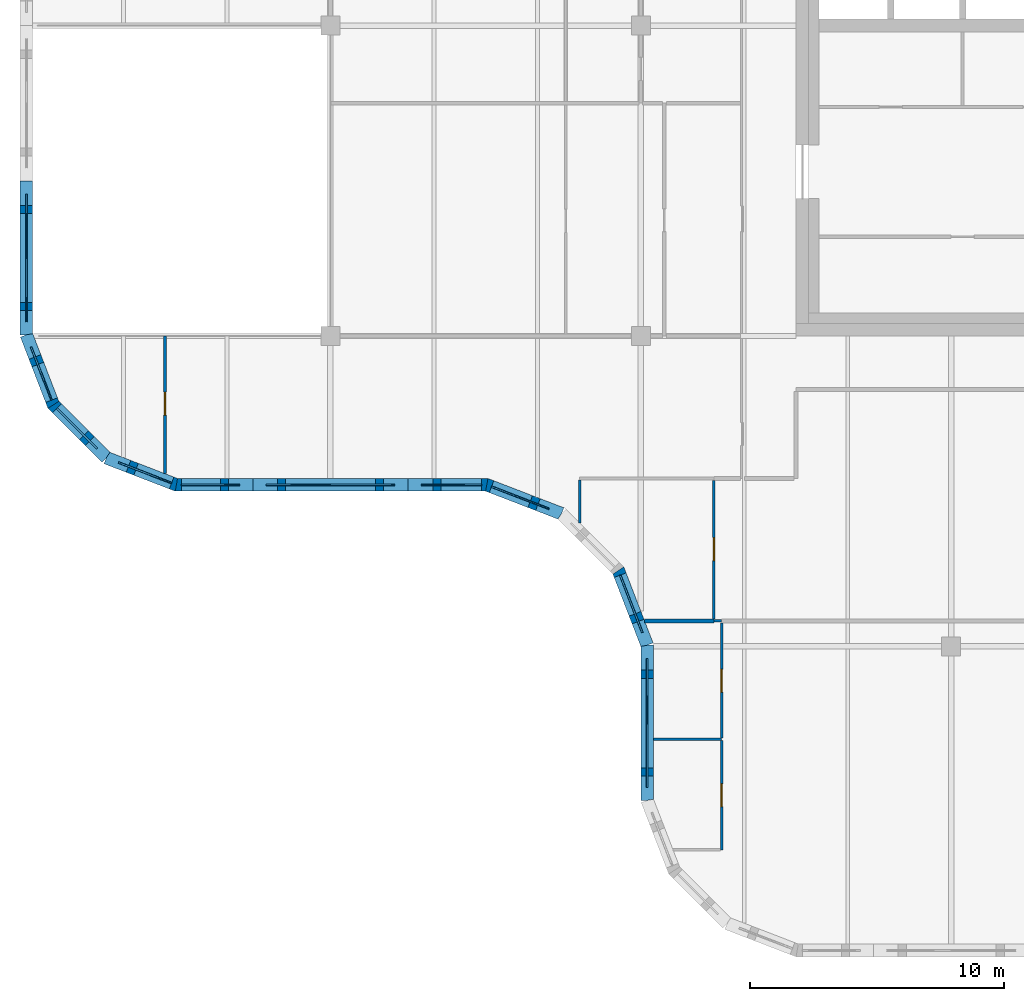
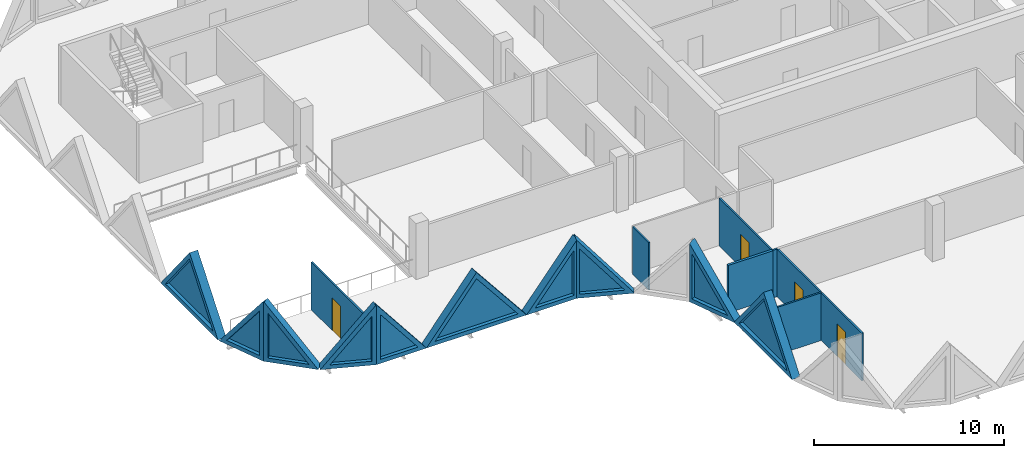
# One storey, part 3 of 11: 18 walls, 10 plates, 4 doors, 14 openings.
"""IFC4 building model written with IfcOpenShell, lengths in metres."""

from ifc_helpers import new_model, si_unit, direction, frame, frame_2d, origin, place, context, subcontext, project, spatial, polyline, rectangle, outline, extrude, faceted_brep, source, transform, mapped, material, layer, layer_set, type_object, element, fill, save


model = new_model("IFC4")

# Units and contexts
model_context = context("Model", 3, precision=1e-05, world=origin(), true_north=direction((0.0, 1.0)))
body_context = subcontext(model_context, "Body", "Model", "MODEL_VIEW")
ifc_project = project(units=[si_unit("LENGTHUNIT", "METRE"), si_unit("AREAUNIT", "SQUARE_METRE"), si_unit("VOLUMEUNIT", "CUBIC_METRE"), si_unit("PLANEANGLEUNIT", "RADIAN"), si_unit("MASSUNIT", "GRAM", prefix="KILO")], contexts=[model_context])

# Site, building, storey
site_placement = place(None, origin())
site = spatial("IfcSite", under=ifc_project, at=site_placement, CompositionType="ELEMENT")
building_placement = place(site_placement, origin())
building = spatial("IfcBuilding", under=site, at=building_placement, Name="Tessera Gate Towers", CompositionType="ELEMENT")
storey_placement = place(building_placement, frame((0.0, 0.0, 197.89990234375)))
storey = spatial("IfcBuildingStorey", under=building, at=storey_placement, Name="L49", CompositionType="ELEMENT", Elevation=197.89990234375)

# Wall, opening, door
ifc_material_1 = material(Name="Glass", Category="glass")
ifc_layer_1 = layer(ifc_material_1, 0.10009765625)
ifc_layer_set_1 = layer_set([ifc_layer_1], Name="GLAZED PARTITION 100")
wall_type_1 = type_object("IfcWallType", Name="GLAZED PARTITION 100", PredefinedType="PARTITIONING", material=ifc_layer_set_1)
wall_1_placement = place(storey_placement, frame((27.574951171875, 4.199951171875, 0.0), z_axis=(0.0, 0.0, 1.0), x_axis=(0.0, 1.0, 0.0)))
wall_1 = element("IfcWall", 1, at=wall_1_placement, inside=storey, type_object=wall_type_1, Name="T1-L49-PW-004", PredefinedType="PARTITIONING", context=body_context, shape_type="SweptSolid", body=[
    extrude(rectangle(XDim=4.296875, YDim=0.10009765625, at=frame_2d((2.1484375, 0.0))), origin(), (0.0, 0.0, 1.0), 3.067138671875),
])
shared_shape_1 = source(origin(), body_context, "Body", "SweptSolid", [
    extrude(rectangle(XDim=0.89990234375, YDim=2.10009765625, at=frame_2d((0.449951171875, 1.050048828125))), frame((0.0, 0.06005859375, 0.0), z_axis=(0.0, -1.0, 0.0), x_axis=(1.0, 0.0, 0.0)), (0.0, 0.0, 1.0), 0.1201171875),
])
opening_1_placement = place(wall_1_placement, frame((1.699951171875, 0.0, 0.0)))
opening_1 = element("IfcOpeningElement", 2, at=opening_1_placement, cuts=wall_1, Name="Opening D690-A18-04", PredefinedType="OPENING", context=body_context, shape_type="MappedRepresentation", body=[
    mapped(shared_shape_1, transform((0.0, 0.0, 0.0), scale=1.0)),
])
ifc_material_2 = material(Name="Glass in aluminium frame", Category="aluminium")
door_type = type_object("IfcDoorType", Name="GLAZED DOOR 900 NOT RATED", OperationType="NOTDEFINED", PredefinedType="DOOR", material=ifc_material_2)
shared_shape_2 = source(origin(), body_context, "Body", "SweptSolid", [
    extrude(rectangle(XDim=0.89990234375, YDim=2.10009765625, at=frame_2d((0.449951171875, 1.050048828125))), frame((0.0, 0.02490234375, 0.0), z_axis=(0.0, -1.0, 0.0), x_axis=(1.0, 0.0, 0.0)), (0.0, 0.0, 1.0), 0.050048828125),
])
door_1_placement = place(opening_1_placement, origin())
door_1 = element("IfcDoor", 3, at=door_1_placement, inside=storey, type_object=door_type, Name="T1-L49-PD-010", OperationType="SINGLE_SWING_LEFT", OverallHeight=2.10009765625, OverallWidth=0.89990234375, PredefinedType="DOOR", context=body_context, shape_type="MappedRepresentation", body=[
    mapped(shared_shape_2, transform((0.0, 0.0, 0.0), scale=1.0)),
])
fill(opening_1, door_1)

wall_2_placement = place(storey_placement, frame((27.574951171875, 8.598876953125, 0.0), z_axis=(0.0, 0.0, 1.0), x_axis=(0.0, 1.0, 0.0)))
wall_2 = element("IfcWall", 4, at=wall_2_placement, inside=storey, type_object=wall_type_1, Name="T1-L49-PW-009", PredefinedType="PARTITIONING", context=body_context, shape_type="SweptSolid", body=[
    extrude(rectangle(XDim=4.525146484375, YDim=0.10009765625, at=frame_2d((2.2626953125, 0.0))), origin(), (0.0, 0.0, 1.0), 3.067138671875),
])
opening_2_placement = place(wall_2_placement, frame((1.800048828125, 0.0, 0.0)))
opening_2 = element("IfcOpeningElement", 5, at=opening_2_placement, cuts=wall_2, Name="Opening D690-A18-01", PredefinedType="OPENING", context=body_context, shape_type="MappedRepresentation", body=[
    mapped(shared_shape_1, transform((0.0, 0.0, 0.0), scale=1.0)),
])
door_2_placement = place(opening_2_placement, origin())
door_2 = element("IfcDoor", 6, at=door_2_placement, inside=storey, type_object=door_type, Name="T1-L49-PD-004", OperationType="SINGLE_SWING_LEFT", OverallHeight=2.10009765625, OverallWidth=0.89990234375, PredefinedType="DOOR", context=body_context, shape_type="MappedRepresentation", body=[
    mapped(shared_shape_2, transform((0.0, 0.0, 0.0), scale=1.0)),
])
fill(opening_2, door_2)

# Wall
wall_3_placement = place(storey_placement, frame((27.27587890625, 13.199951171875, 0.0), z_axis=(0.0, 0.0, 1.0), x_axis=(1.0, 0.0, 0.0)))
element("IfcWall", 7, at=wall_3_placement, inside=storey, type_object=wall_type_1, Name="T1-L49-PW-012", PredefinedType="PARTITIONING", context=body_context, shape_type="SweptSolid", body=[
    extrude(rectangle(XDim=0.298095703125, YDim=0.10009765625, at=frame_2d((0.14892578125, 0.0))), origin(), (0.0, 0.0, 1.0), 3.067138671875),
])

# Wall, opening, door
wall_4_placement = place(storey_placement, frame((27.27490234375, 13.27587890625, 0.0), z_axis=(0.0, 0.0, 1.0), x_axis=(0.0, 1.0, 0.0)))
wall_4 = element("IfcWall", 8, at=wall_4_placement, inside=storey, type_object=wall_type_1, Name="T1-L49-PW-014", PredefinedType="PARTITIONING", context=body_context, shape_type="SweptSolid", body=[
    extrude(rectangle(XDim=5.4482421875, YDim=0.10009765625, at=frame_2d((2.72412109375, 0.0))), origin(), (0.0, 0.0, 1.0), 3.067138671875),
])
opening_3_placement = place(wall_4_placement, frame((2.300048828125, 0.0, 0.0)))
opening_3 = element("IfcOpeningElement", 9, at=opening_3_placement, cuts=wall_4, Name="Opening D690-A18-03", PredefinedType="OPENING", context=body_context, shape_type="MappedRepresentation", body=[
    mapped(shared_shape_1, transform((0.0, 0.0, 0.0), scale=1.0)),
])
door_3_placement = place(opening_3_placement, origin())
door_3 = element("IfcDoor", 10, at=door_3_placement, inside=storey, type_object=door_type, Name="T1-L49-PD-008", OperationType="SINGLE_SWING_LEFT", OverallHeight=2.10009765625, OverallWidth=0.89990234375, PredefinedType="DOOR", context=body_context, shape_type="MappedRepresentation", body=[
    mapped(shared_shape_2, transform((0.0, 0.0, 0.0), scale=1.0)),
])
fill(opening_3, door_3)

# Wall
wall_5_placement = place(storey_placement, frame((22.0, 17.054931640625, 0.0), z_axis=(0.0, 0.0, 1.0), x_axis=(0.0, 1.0, 0.0)))
element("IfcWall", 11, at=wall_5_placement, inside=storey, type_object=wall_type_1, Name="T1-L49-PW-018", PredefinedType="PARTITIONING", context=body_context, shape_type="SweptSolid", body=[
    extrude(rectangle(XDim=1.694091796875, YDim=0.10009765625, at=frame_2d((0.84716796875, 0.0))), origin(), (0.0, 0.0, 1.0), 3.067138671875),
])

# Wall, opening, door
wall_6_placement = place(storey_placement, frame((5.699951171875, 18.990234375, 0.0), z_axis=(0.0, 0.0, 1.0), x_axis=(0.0, 1.0, 0.0)))
wall_6 = element("IfcWall", 12, at=wall_6_placement, inside=storey, type_object=wall_type_1, Name="T1-L49-PW-025", PredefinedType="PARTITIONING", context=body_context, shape_type="SweptSolid", body=[
    extrude(rectangle(XDim=5.40966796875, YDim=0.10009765625, at=frame_2d((2.704833984375, 0.0))), origin(), (0.0, 0.0, 1.0), 3.067138671875),
])
opening_4_placement = place(wall_6_placement, frame((2.300048828125, 0.0, 0.0)))
opening_4 = element("IfcOpeningElement", 13, at=opening_4_placement, cuts=wall_6, Name="Opening D690-A18-02", PredefinedType="OPENING", context=body_context, shape_type="MappedRepresentation", body=[
    mapped(shared_shape_1, transform((0.0, 0.0, 0.0), scale=1.0)),
])
door_4_placement = place(opening_4_placement, origin())
door_4 = element("IfcDoor", 14, at=door_4_placement, inside=storey, type_object=door_type, Name="T1-L49-PD-007", OperationType="SINGLE_SWING_LEFT", OverallHeight=2.10009765625, OverallWidth=0.89990234375, PredefinedType="DOOR", context=body_context, shape_type="MappedRepresentation", body=[
    mapped(shared_shape_2, transform((0.0, 0.0, 0.0), scale=1.0)),
])
fill(opening_4, door_4)

# Walls
ifc_material_3 = material(Name="Gypsum board on steel studs", Category="steel")
ifc_layer_2 = layer(ifc_material_3, 0.10009765625)
ifc_layer_set_2 = layer_set([ifc_layer_2], Name="PARTITION 100")
wall_type_2 = type_object("IfcWallType", Name="PARTITION 100", PredefinedType="PARTITIONING", material=ifc_layer_set_2)
wall_7_placement = place(storey_placement, frame((24.89990234375, 8.548095703125, 0.0), z_axis=(0.0, 0.0, 1.0), x_axis=(1.0, 0.0, 0.0)))
element("IfcWall", 15, at=wall_7_placement, inside=storey, type_object=wall_type_2, Name="T1-L49-PW-008", PredefinedType="PARTITIONING", context=body_context, shape_type="SweptSolid", body=[
    extrude(rectangle(XDim=2.675048828125, YDim=0.10009765625, at=frame_2d((1.33740234375, 0.0))), origin(), (0.0, 0.0, 1.0), 3.067138671875),
])
ifc_material_4 = material(Name="Gypsum board on steel studs, mineral wool", Category="steel")
ifc_layer_3 = layer(ifc_material_4, 0.14990234375)
ifc_layer_set_3 = layer_set([ifc_layer_3], Name="TENANCY WALL 150")
wall_type_3 = type_object("IfcWallType", Name="TENANCY WALL 150", PredefinedType="PARTITIONING", material=ifc_layer_set_3)
wall_8_placement = place(storey_placement, frame((24.55029296875, 13.199951171875, 0.0), z_axis=(0.0, 0.0, 1.0), x_axis=(1.0, 0.0, 0.0)))
element("IfcWall", 16, at=wall_8_placement, inside=storey, type_object=wall_type_3, Name="T1-L49-PW-011", PredefinedType="PARTITIONING", context=body_context, shape_type="SweptSolid", body=[
    extrude(rectangle(XDim=2.724609375, YDim=0.14990234375, at=frame_2d((1.3623046875, 0.0))), origin(), (0.0, 0.0, 1.0), 3.067138671875),
])

# Wall, opening, plate
ifc_material_5 = material(Name="Precast concrete C60/75 white", Category="concrete")
ifc_layer_4 = layer(ifc_material_5, 0.5)
ifc_layer_set_4 = layer_set([ifc_layer_4], Name="TS3 corner tessera")
wall_type_4 = type_object("IfcWallType", Name="TS3 corner tessera", PredefinedType="SOLIDWALL", material=ifc_layer_set_4)
shared_shape_3 = source(origin(), body_context, "Body", "Brep", [
    faceted_brep([(3.050048828125, -0.25, 0.0), (0.046630859375, -0.25, 3.800048828125), (0.0, -0.25, 3.739990234375), (0.0, -0.25, 0.0), (0.09326171875, 0.25, 3.7412109375), (3.050048828125, 0.25, 0.0), (0.09326171875, 0.25, 0.0), (0.046630859375, 0.0, 3.800048828125)], [[[0, 1, 2, 3]], [[4, 5, 6]], [[5, 4, 7, 1, 0]], [[2, 1, 7]], [[6, 5, 0, 3]], [[6, 3, 2, 7, 4]]]),
])
wall_9_placement = place(storey_placement, frame((6.099853515625, 18.550048828125, 0.0), z_axis=(0.0, 0.0, 1.0), x_axis=(1.0, 0.0, 0.0)))
wall_9 = element("IfcWall", 17, at=wall_9_placement, inside=storey, type_object=wall_type_4, Name="Precast corner tessera T1 TS3-1146", PredefinedType="SOLIDWALL", context=body_context, shape_type="MappedRepresentation", body=[
    mapped(shared_shape_3, transform((0.0, 0.0, 0.0), scale=1.0)),
])
shared_shape_4 = source(origin(), body_context, "Body", "SweptSolid", [
    extrude(outline(polyline([(2.533935546875, 0.25), (0.24658203125, 3.143798828125), (0.24658203125, 0.25), (2.533935546875, 0.25)])), frame((0.0, 0.260009765625, 0.0), z_axis=(0.0, -1.0, 0.0), x_axis=(1.0, 0.0, 0.0)), (0.0, 0.0, 1.0), 0.52001953125),
])
opening_5_placement = place(wall_9_placement, origin())
opening_5 = element("IfcOpeningElement", 18, at=opening_5_placement, cuts=wall_9, Name="Opening T1-PL1-0508", PredefinedType="OPENING", context=body_context, shape_type="MappedRepresentation", body=[
    mapped(shared_shape_4, transform((0.0, 0.0, 0.0), scale=1.0)),
])
ifc_material_6 = material(Name="Low-e laminated glass", Category="glass")
ifc_layer_5 = layer(ifc_material_6, 0.06005859375)
ifc_layer_set_5 = layer_set([ifc_layer_5], Name="PL1 triangular pane")
plate_type = type_object("IfcPlateType", Name="PL1 triangular pane", PredefinedType="SHEET", material=ifc_layer_set_5)
shared_shape_5 = source(origin(), body_context, "Body", "SweptSolid", [
    extrude(outline(polyline([(2.533935546875, 0.25), (0.24658203125, 3.143798828125), (0.24658203125, 0.25), (2.533935546875, 0.25)])), frame((0.0, 0.030029296875, 0.0), z_axis=(0.0, -1.0, 0.0), x_axis=(1.0, 0.0, 0.0)), (0.0, 0.0, 1.0), 0.06005859375),
])
plate_1_placement = place(opening_5_placement, origin())
plate_1 = element("IfcPlate", 19, at=plate_1_placement, inside=storey, type_object=plate_type, Name="Glass pane T1 PL1-0508", PredefinedType="SHEET", context=body_context, shape_type="MappedRepresentation", body=[
    mapped(shared_shape_5, transform((0.0, 0.0, 0.0), scale=1.0)),
])
fill(opening_5, plate_1)

ifc_material_7 = material(Name="Precast concrete C60/75 white", Category="concrete")
ifc_layer_6 = layer(ifc_material_7, 0.5)
ifc_layer_set_6 = layer_set([ifc_layer_6], Name="TS2 half tessera")
wall_type_5 = type_object("IfcWallType", Name="TS2 half tessera", PredefinedType="SOLIDWALL", material=ifc_layer_set_6)
shared_shape_6 = source(origin(), body_context, "Body", "SweptSolid", [
    extrude(outline(polyline([(6.10009765625, 0.0), (3.050048828125, 3.800048828125), (0.0, 0.0), (6.10009765625, 0.0)])), frame((0.0, 0.25, 0.0), z_axis=(0.0, -1.0, 0.0), x_axis=(1.0, 0.0, 0.0)), (0.0, 0.0, 1.0), 0.5),
])
wall_10_placement = place(storey_placement, frame((9.14990234375, 18.550048828125, 0.0), z_axis=(0.0, 0.0, 1.0), x_axis=(1.0, 0.0, 0.0)))
wall_10 = element("IfcWall", 20, at=wall_10_placement, inside=storey, type_object=wall_type_5, Name="Precast half tessera T1 TS2-0251", PredefinedType="SOLIDWALL", context=body_context, shape_type="MappedRepresentation", body=[
    mapped(shared_shape_6, transform((0.0, 0.0, 0.0), scale=1.0)),
])
shared_shape_7 = source(origin(), body_context, "Body", "SweptSolid", [
    extrude(outline(polyline([(5.578857421875, 0.25), (3.050048828125, 3.400634765625), (0.521240234375, 0.25), (5.578857421875, 0.25)])), frame((0.0, 0.260009765625, 0.0), z_axis=(0.0, -1.0, 0.0), x_axis=(1.0, 0.0, 0.0)), (0.0, 0.0, 1.0), 0.52001953125),
])
opening_6_placement = place(wall_10_placement, origin())
opening_6 = element("IfcOpeningElement", 21, at=opening_6_placement, cuts=wall_10, Name="Opening T1-PL1-0509", PredefinedType="OPENING", context=body_context, shape_type="MappedRepresentation", body=[
    mapped(shared_shape_7, transform((0.0, 0.0, 0.0), scale=1.0)),
])
shared_shape_8 = source(origin(), body_context, "Body", "SweptSolid", [
    extrude(outline(polyline([(5.578857421875, 0.25), (3.050048828125, 3.400634765625), (0.521240234375, 0.25), (5.578857421875, 0.25)])), frame((0.0, 0.030029296875, 0.0), z_axis=(0.0, -1.0, 0.0), x_axis=(1.0, 0.0, 0.0)), (0.0, 0.0, 1.0), 0.06005859375),
])
plate_2_placement = place(opening_6_placement, origin())
plate_2 = element("IfcPlate", 22, at=plate_2_placement, inside=storey, type_object=plate_type, Name="Glass pane T1 PL1-0509", PredefinedType="SHEET", context=body_context, shape_type="MappedRepresentation", body=[
    mapped(shared_shape_8, transform((0.0, 0.0, 0.0), scale=1.0)),
])
fill(opening_6, plate_2)

shared_shape_9 = source(origin(), body_context, "Body", "Brep", [
    faceted_brep([(6.053466796875, -0.25, 0.0), (3.050048828125, -0.25, 3.800048828125), (0.0, -0.25, 0.0), (0.0, 0.25, 0.0), (3.050048828125, 0.25, 3.800048828125), (6.0068359375, 0.25, 0.058837890625), (6.0068359375, 0.25, 0.0), (6.053466796875, 0.0, 0.0)], [[[0, 1, 2]], [[3, 4, 5, 6]], [[5, 4, 1, 0, 7]], [[4, 3, 2, 1]], [[3, 6, 7, 0, 2]], [[7, 6, 5]]]),
])
wall_11_placement = place(storey_placement, frame((0.25, 30.5, 0.0), z_axis=(0.0, 0.0, 1.0), x_axis=(0.0, -1.0, 0.0)))
wall_11 = element("IfcWall", 23, at=wall_11_placement, inside=storey, type_object=wall_type_5, Name="Precast half tessera T1 TS2-0250", PredefinedType="SOLIDWALL", context=body_context, shape_type="MappedRepresentation", body=[
    mapped(shared_shape_9, transform((0.0, 0.0, 0.0), scale=1.0)),
])
shared_shape_10 = source(origin(), body_context, "Body", "SweptSolid", [
    extrude(outline(polyline([(5.537109375, 0.25), (3.048583984375, 3.39892578125), (0.521240234375, 0.25), (5.537109375, 0.25)])), frame((0.0, 0.260009765625, 0.0), z_axis=(0.0, -1.0, 0.0), x_axis=(1.0, 0.0, 0.0)), (0.0, 0.0, 1.0), 0.52001953125),
])
opening_7_placement = place(wall_11_placement, origin())
opening_7 = element("IfcOpeningElement", 24, at=opening_7_placement, cuts=wall_11, Name="Opening T1-PL1-0504", PredefinedType="OPENING", context=body_context, shape_type="MappedRepresentation", body=[
    mapped(shared_shape_10, transform((0.0, 0.0, 0.0), scale=1.0)),
])
shared_shape_11 = source(origin(), body_context, "Body", "SweptSolid", [
    extrude(outline(polyline([(5.537109375, 0.25), (3.048583984375, 3.39892578125), (0.521240234375, 0.25), (5.537109375, 0.25)])), frame((0.0, 0.030029296875, 0.0), z_axis=(0.0, -1.0, 0.0), x_axis=(1.0, 0.0, 0.0)), (0.0, 0.0, 1.0), 0.06005859375),
])
plate_3_placement = place(opening_7_placement, origin())
plate_3 = element("IfcPlate", 25, at=plate_3_placement, inside=storey, type_object=plate_type, Name="Glass pane T1 PL1-0504", PredefinedType="SHEET", context=body_context, shape_type="MappedRepresentation", body=[
    mapped(shared_shape_11, transform((0.0, 0.0, 0.0), scale=1.0)),
])
fill(opening_7, plate_3)

shared_shape_12 = source(origin(), body_context, "Body", "Brep", [
    faceted_brep([(3.00341796875, -0.25, 3.731689453125), (2.950439453125, -0.25, 3.800048828125), (0.0, -0.25, 0.0), (3.00341796875, -0.25, 0.0), (0.046630859375, 0.25, 0.06005859375), (2.897705078125, 0.25, 3.73193359375), (2.897705078125, 0.25, 0.0), (0.046630859375, 0.25, 0.0), (2.950439453125, 0.00048828125, 3.800048828125), (0.0, 0.0, 0.0)], [[[0, 1, 2, 3]], [[4, 5, 6, 7]], [[8, 1, 0]], [[5, 4, 9, 2, 1, 8]], [[7, 6, 3, 2, 9]], [[7, 9, 4]], [[3, 6, 5, 8, 0]]]),
])
wall_12_placement = place(storey_placement, frame((0.25, 24.446533203125, 0.0), z_axis=(0.0, 0.0, 1.0), x_axis=(0.35992665181, -0.932980602862, 0.0)))
wall_12 = element("IfcWall", 26, at=wall_12_placement, inside=storey, type_object=wall_type_4, Name="Precast corner tessera T1 TS3-1143", PredefinedType="SOLIDWALL", context=body_context, shape_type="MappedRepresentation", body=[
    mapped(shared_shape_12, transform((0.0, 0.0, 0.0), scale=1.0)),
])
shared_shape_13 = source(origin(), body_context, "Body", "SweptSolid", [
    extrude(outline(polyline([(2.75048828125, 3.134765625), (0.5107421875, 0.25), (2.75048828125, 0.25), (2.75048828125, 3.134765625)])), frame((0.0, 0.260009765625, 0.0), z_axis=(0.0, -1.0, 0.0), x_axis=(1.0, 0.0, 0.0)), (0.0, 0.0, 1.0), 0.52001953125),
])
opening_8_placement = place(wall_12_placement, origin())
opening_8 = element("IfcOpeningElement", 27, at=opening_8_placement, cuts=wall_12, Name="Opening T1-PL1-0505", PredefinedType="OPENING", context=body_context, shape_type="MappedRepresentation", body=[
    mapped(shared_shape_13, transform((0.0, 0.0, 0.0), scale=1.0)),
])
shared_shape_14 = source(origin(), body_context, "Body", "SweptSolid", [
    extrude(outline(polyline([(2.75048828125, 3.134765625), (0.5107421875, 0.25), (2.75048828125, 0.25), (2.75048828125, 3.134765625)])), frame((0.0, 0.030029296875, 0.0), z_axis=(0.0, -1.0, 0.0), x_axis=(1.0, 0.0, 0.0)), (0.0, 0.0, 1.0), 0.06005859375),
])
plate_4_placement = place(opening_8_placement, origin())
plate_4 = element("IfcPlate", 28, at=plate_4_placement, inside=storey, type_object=plate_type, Name="Glass pane T1 PL1-0505", PredefinedType="SHEET", context=body_context, shape_type="MappedRepresentation", body=[
    mapped(shared_shape_14, transform((0.0, 0.0, 0.0), scale=1.0)),
])
fill(opening_8, plate_4)

shared_shape_15 = source(origin(), body_context, "Body", "Brep", [
    faceted_brep([(2.9970703125, -0.25, 3.740966796875), (2.950439453125, -0.25, 3.800048828125), (0.0, -0.25, 0.0), (2.9970703125, -0.25, 0.0), (0.052978515625, 0.25, 0.068115234375), (2.904052734375, 0.25, 3.740234375), (2.904052734375, 0.25, 0.0), (0.052978515625, 0.25, 0.0), (2.950439453125, 0.00048828125, 3.800048828125), (0.0, 0.0, 0.0)], [[[0, 1, 2, 3]], [[4, 5, 6, 7]], [[8, 1, 0]], [[5, 4, 9, 2, 1, 8]], [[7, 6, 3, 2, 9]], [[7, 9, 4]], [[3, 6, 5, 8, 0]]]),
])
wall_13_placement = place(storey_placement, frame((3.393798828125, 19.61181640625, 0.0), z_axis=(0.0, 0.0, 1.0), x_axis=(0.932990326376, -0.359901446078, 0.0)))
wall_13 = element("IfcWall", 29, at=wall_13_placement, inside=storey, type_object=wall_type_4, Name="Precast corner tessera T1 TS3-1145", PredefinedType="SOLIDWALL", context=body_context, shape_type="MappedRepresentation", body=[
    mapped(shared_shape_15, transform((0.0, 0.0, 0.0), scale=1.0)),
])
opening_9_placement = place(wall_13_placement, origin())
opening_9 = element("IfcOpeningElement", 30, at=opening_9_placement, cuts=wall_13, Name="Opening T1-PL1-0507", PredefinedType="OPENING", context=body_context, shape_type="MappedRepresentation", body=[
    mapped(shared_shape_13, transform((0.0, 0.0, 0.0), scale=1.0)),
])
plate_5_placement = place(opening_9_placement, origin())
plate_5 = element("IfcPlate", 31, at=plate_5_placement, inside=storey, type_object=plate_type, Name="Glass pane T1 PL1-0507", PredefinedType="SHEET", context=body_context, shape_type="MappedRepresentation", body=[
    mapped(shared_shape_14, transform((0.0, 0.0, 0.0), scale=1.0)),
])
fill(opening_9, plate_5)

shared_shape_16 = source(origin(), body_context, "Body", "Brep", [
    faceted_brep([(2.9970703125, -0.25, 0.0), (0.052978515625, -0.25, 3.800048828125), (0.0, -0.25, 3.73193359375), (0.0, -0.25, 0.0), (0.10595703125, 0.25, 3.731689453125), (2.944091796875, 0.25, 0.068115234375), (2.944091796875, 0.25, 0.0), (0.10595703125, 0.25, 0.0), (0.052978515625, 0.0, 3.800048828125), (2.9970703125, 0.000244140625, 0.0)], [[[0, 1, 2, 3]], [[4, 5, 6, 7]], [[5, 4, 8, 1, 0, 9]], [[2, 1, 8]], [[7, 6, 9, 0, 3]], [[7, 3, 2, 8, 4]], [[9, 6, 5]]]),
])
wall_14_placement = place(storey_placement, frame((1.2744140625, 21.731201171875, 0.0), z_axis=(0.0, 0.0, 1.0), x_axis=(0.707147509625, -0.707066050402, 0.0)))
wall_14 = element("IfcWall", 32, at=wall_14_placement, inside=storey, type_object=wall_type_4, Name="Precast corner tessera T1 TS3-1144", PredefinedType="SOLIDWALL", context=body_context, shape_type="MappedRepresentation", body=[
    mapped(shared_shape_16, transform((0.0, 0.0, 0.0), scale=1.0)),
])
shared_shape_17 = source(origin(), body_context, "Body", "SweptSolid", [
    extrude(outline(polyline([(2.487060546875, 0.25), (0.2529296875, 3.1337890625), (0.2529296875, 0.25), (2.487060546875, 0.25)])), frame((0.0, 0.260009765625, 0.0), z_axis=(0.0, -1.0, 0.0), x_axis=(1.0, 0.0, 0.0)), (0.0, 0.0, 1.0), 0.52001953125),
])
opening_10_placement = place(wall_14_placement, origin())
opening_10 = element("IfcOpeningElement", 33, at=opening_10_placement, cuts=wall_14, Name="Opening T1-PL1-0506", PredefinedType="OPENING", context=body_context, shape_type="MappedRepresentation", body=[
    mapped(shared_shape_17, transform((0.0, 0.0, 0.0), scale=1.0)),
])
shared_shape_18 = source(origin(), body_context, "Body", "SweptSolid", [
    extrude(outline(polyline([(2.487060546875, 0.25), (0.2529296875, 3.1337890625), (0.2529296875, 0.25), (2.487060546875, 0.25)])), frame((0.0, 0.030029296875, 0.0), z_axis=(0.0, -1.0, 0.0), x_axis=(1.0, 0.0, 0.0)), (0.0, 0.0, 1.0), 0.06005859375),
])
plate_6_placement = place(opening_10_placement, origin())
plate_6 = element("IfcPlate", 34, at=plate_6_placement, inside=storey, type_object=plate_type, Name="Glass pane T1 PL1-0506", PredefinedType="SHEET", context=body_context, shape_type="MappedRepresentation", body=[
    mapped(shared_shape_18, transform((0.0, 0.0, 0.0), scale=1.0)),
])
fill(opening_10, plate_6)

shared_shape_19 = source(origin(), body_context, "Body", "Brep", [
    faceted_brep([(3.050048828125, -0.25, 3.7431640625), (0.0, -0.25, 0.0), (3.050048828125, -0.25, 0.0), (0.0, 0.25, 0.0), (3.096435546875, 0.25, 3.800048828125), (3.14306640625, 0.25, 3.74365234375), (3.14306640625, 0.25, 0.0), (3.096435546875, -0.00048828125, 3.800048828125)], [[[0, 1, 2]], [[3, 4, 5, 6]], [[5, 4, 7]], [[4, 3, 1, 0, 7]], [[3, 6, 2, 1]], [[2, 6, 5, 7, 0]]]),
])
wall_15_placement = place(storey_placement, frame((15.25, 18.550048828125, 0.0), z_axis=(0.0, 0.0, 1.0), x_axis=(1.0, 0.0, 0.0)))
wall_15 = element("IfcWall", 35, at=wall_15_placement, inside=storey, type_object=wall_type_4, Name="Precast corner tessera T1 TS3-1147", PredefinedType="SOLIDWALL", context=body_context, shape_type="MappedRepresentation", body=[
    mapped(shared_shape_19, transform((0.0, 0.0, 0.0), scale=1.0)),
])
shared_shape_20 = source(origin(), body_context, "Body", "SweptSolid", [
    extrude(outline(polyline([(2.896484375, 3.158935546875), (0.526123046875, 0.25), (2.896484375, 0.25), (2.896484375, 3.158935546875)])), frame((0.0, 0.260009765625, 0.0), z_axis=(0.0, -1.0, 0.0), x_axis=(1.0, 0.0, 0.0)), (0.0, 0.0, 1.0), 0.52001953125),
])
opening_11_placement = place(wall_15_placement, origin())
opening_11 = element("IfcOpeningElement", 36, at=opening_11_placement, cuts=wall_15, Name="Opening T1-PL1-0510", PredefinedType="OPENING", context=body_context, shape_type="MappedRepresentation", body=[
    mapped(shared_shape_20, transform((0.0, 0.0, 0.0), scale=1.0)),
])
shared_shape_21 = source(origin(), body_context, "Body", "SweptSolid", [
    extrude(outline(polyline([(2.896484375, 3.158935546875), (0.526123046875, 0.25), (2.896484375, 0.25), (2.896484375, 3.158935546875)])), frame((0.0, 0.030029296875, 0.0), z_axis=(0.0, -1.0, 0.0), x_axis=(1.0, 0.0, 0.0)), (0.0, 0.0, 1.0), 0.06005859375),
])
plate_7_placement = place(opening_11_placement, origin())
plate_7 = element("IfcPlate", 37, at=plate_7_placement, inside=storey, type_object=plate_type, Name="Glass pane T1 PL1-0510", PredefinedType="SHEET", context=body_context, shape_type="MappedRepresentation", body=[
    mapped(shared_shape_21, transform((0.0, 0.0, 0.0), scale=1.0)),
])
fill(opening_11, plate_7)

shared_shape_22 = source(origin(), body_context, "Body", "Brep", [
    faceted_brep([(3.14306640625, -0.25, 0.063720703125), (0.09326171875, -0.25, 3.743896484375), (0.09326171875, -0.25, 0.0), (3.14306640625, -0.25, 0.0), (0.0, 0.25, 3.742919921875), (0.046630859375, 0.25, 3.800048828125), (3.196044921875, 0.25, 0.0), (0.0, 0.25, 0.0), (0.046630859375, 0.0, 3.800048828125), (3.196044921875, -0.000244140625, 0.0)], [[[0, 1, 2, 3]], [[4, 5, 6, 7]], [[6, 5, 8, 1, 0, 9]], [[5, 4, 8]], [[7, 6, 9, 3, 2]], [[7, 2, 1, 8, 4]], [[3, 9, 0]]]),
])
wall_16_placement = place(storey_placement, frame((18.302978515625, 18.56689453125, 0.0), z_axis=(0.0, 0.0, 1.0), x_axis=(0.932978940178, -0.359930961693, 0.0)))
wall_16 = element("IfcWall", 38, at=wall_16_placement, inside=storey, type_object=wall_type_4, Name="Precast corner tessera T1 TS3-1148", PredefinedType="SOLIDWALL", context=body_context, shape_type="MappedRepresentation", body=[
    mapped(shared_shape_22, transform((0.0, 0.0, 0.0), scale=1.0)),
])
shared_shape_23 = source(origin(), body_context, "Body", "SweptSolid", [
    extrude(outline(polyline([(2.664306640625, 0.25), (0.24658203125, 3.1669921875), (0.24658203125, 0.25), (2.664306640625, 0.25)])), frame((0.0, 0.260009765625, 0.0), z_axis=(0.0, -1.0, 0.0), x_axis=(1.0, 0.0, 0.0)), (0.0, 0.0, 1.0), 0.52001953125),
])
opening_12_placement = place(wall_16_placement, origin())
opening_12 = element("IfcOpeningElement", 39, at=opening_12_placement, cuts=wall_16, Name="Opening T1-PL1-0511", PredefinedType="OPENING", context=body_context, shape_type="MappedRepresentation", body=[
    mapped(shared_shape_23, transform((0.0, 0.0, 0.0), scale=1.0)),
])
shared_shape_24 = source(origin(), body_context, "Body", "SweptSolid", [
    extrude(outline(polyline([(2.664306640625, 0.25), (0.24658203125, 3.1669921875), (0.24658203125, 0.25), (2.664306640625, 0.25)])), frame((0.0, 0.030029296875, 0.0), z_axis=(0.0, -1.0, 0.0), x_axis=(1.0, 0.0, 0.0)), (0.0, 0.0, 1.0), 0.06005859375),
])
plate_8_placement = place(opening_12_placement, origin())
plate_8 = element("IfcPlate", 40, at=plate_8_placement, inside=storey, type_object=plate_type, Name="Glass pane T1 PL1-0511", PredefinedType="SHEET", context=body_context, shape_type="MappedRepresentation", body=[
    mapped(shared_shape_24, transform((0.0, 0.0, 0.0), scale=1.0)),
])
fill(opening_12, plate_8)

shared_shape_25 = source(origin(), body_context, "Body", "Brep", [
    faceted_brep([(3.156005859375, -0.25, 0.05615234375), (0.10595703125, -0.25, 3.736083984375), (0.10595703125, -0.25, 0.0), (3.156005859375, -0.25, 0.0), (0.0, 0.25, 3.736328125), (0.052978515625, 0.25, 3.800048828125), (3.202392578125, 0.25, 0.0), (0.0, 0.25, 0.0), (0.052978515625, 0.0, 3.800048828125), (3.202392578125, -0.000244140625, 0.0)], [[[0, 1, 2, 3]], [[4, 5, 6, 7]], [[6, 5, 8, 1, 0, 9]], [[5, 4, 8]], [[7, 6, 9, 3, 2]], [[7, 2, 1, 8, 4]], [[3, 9, 0]]]),
])
wall_17_placement = place(storey_placement, frame((23.497314453125, 15.234375, 0.0), z_axis=(0.0, 0.0, 1.0), x_axis=(0.359913782069, -0.932985567668, 0.0)))
wall_17 = element("IfcWall", 41, at=wall_17_placement, inside=storey, type_object=wall_type_4, Name="Precast corner tessera T1 TS3-1150", PredefinedType="SOLIDWALL", context=body_context, shape_type="MappedRepresentation", body=[
    mapped(shared_shape_25, transform((0.0, 0.0, 0.0), scale=1.0)),
])
shared_shape_26 = source(origin(), body_context, "Body", "SweptSolid", [
    extrude(outline(polyline([(2.670654296875, 0.25), (0.2529296875, 3.1669921875), (0.2529296875, 0.25), (2.670654296875, 0.25)])), frame((0.0, 0.260009765625, 0.0), z_axis=(0.0, -1.0, 0.0), x_axis=(1.0, 0.0, 0.0)), (0.0, 0.0, 1.0), 0.52001953125),
])
opening_13_placement = place(wall_17_placement, origin())
opening_13 = element("IfcOpeningElement", 42, at=opening_13_placement, cuts=wall_17, Name="Opening T1-PL1-0513", PredefinedType="OPENING", context=body_context, shape_type="MappedRepresentation", body=[
    mapped(shared_shape_26, transform((0.0, 0.0, 0.0), scale=1.0)),
])
shared_shape_27 = source(origin(), body_context, "Body", "SweptSolid", [
    extrude(outline(polyline([(2.670654296875, 0.25), (0.2529296875, 3.1669921875), (0.2529296875, 0.25), (2.670654296875, 0.25)])), frame((0.0, 0.030029296875, 0.0), z_axis=(0.0, -1.0, 0.0), x_axis=(1.0, 0.0, 0.0)), (0.0, 0.0, 1.0), 0.06005859375),
])
plate_9_placement = place(opening_13_placement, origin())
plate_9 = element("IfcPlate", 43, at=plate_9_placement, inside=storey, type_object=plate_type, Name="Glass pane T1 PL1-0513", PredefinedType="SHEET", context=body_context, shape_type="MappedRepresentation", body=[
    mapped(shared_shape_27, transform((0.0, 0.0, 0.0), scale=1.0)),
])
fill(opening_13, plate_9)

shared_shape_28 = source(origin(), body_context, "Body", "Brep", [
    faceted_brep([(6.10009765625, -0.25, 0.0), (3.096435546875, -0.25, 3.800048828125), (0.046630859375, -0.25, 0.05712890625), (0.046630859375, -0.25, 0.0), (0.0, 0.25, 0.0), (3.096435546875, 0.25, 3.800048828125), (6.053466796875, 0.25, 0.05908203125), (6.053466796875, 0.25, 0.0), (6.10009765625, -0.00048828125, 0.0), (0.0, 0.0, 0.0)], [[[0, 1, 2, 3]], [[4, 5, 6, 7]], [[6, 5, 1, 0, 8]], [[5, 4, 9, 2, 1]], [[4, 7, 8, 0, 3, 9]], [[9, 3, 2]], [[8, 7, 6]]]),
])
wall_18_placement = place(storey_placement, frame((24.64990234375, 12.24658203125, 0.0), z_axis=(0.0, 0.0, 1.0), x_axis=(0.0, -1.0, 0.0)))
wall_18 = element("IfcWall", 44, at=wall_18_placement, inside=storey, type_object=wall_type_5, Name="Precast half tessera T1 TS2-0252", PredefinedType="SOLIDWALL", context=body_context, shape_type="MappedRepresentation", body=[
    mapped(shared_shape_28, transform((0.0, 0.0, 0.0), scale=1.0)),
])
shared_shape_29 = source(origin(), body_context, "Body", "SweptSolid", [
    extrude(outline(polyline([(5.583740234375, 0.25), (3.093505859375, 3.400634765625), (0.526123046875, 0.25), (5.583740234375, 0.25)])), frame((0.0, 0.260009765625, 0.0), z_axis=(0.0, -1.0, 0.0), x_axis=(1.0, 0.0, 0.0)), (0.0, 0.0, 1.0), 0.52001953125),
])
opening_14_placement = place(wall_18_placement, origin())
opening_14 = element("IfcOpeningElement", 45, at=opening_14_placement, cuts=wall_18, Name="Opening T1-PL1-0514", PredefinedType="OPENING", context=body_context, shape_type="MappedRepresentation", body=[
    mapped(shared_shape_29, transform((0.0, 0.0, 0.0), scale=1.0)),
])
shared_shape_30 = source(origin(), body_context, "Body", "SweptSolid", [
    extrude(outline(polyline([(5.583740234375, 0.25), (3.093505859375, 3.400634765625), (0.526123046875, 0.25), (5.583740234375, 0.25)])), frame((0.0, 0.030029296875, 0.0), z_axis=(0.0, -1.0, 0.0), x_axis=(1.0, 0.0, 0.0)), (0.0, 0.0, 1.0), 0.06005859375),
])
plate_10_placement = place(opening_14_placement, origin())
plate_10 = element("IfcPlate", 46, at=plate_10_placement, inside=storey, type_object=plate_type, Name="Glass pane T1 PL1-0514", PredefinedType="SHEET", context=body_context, shape_type="MappedRepresentation", body=[
    mapped(shared_shape_30, transform((0.0, 0.0, 0.0), scale=1.0)),
])
fill(opening_14, plate_10)

save(model, "model.ifc")
